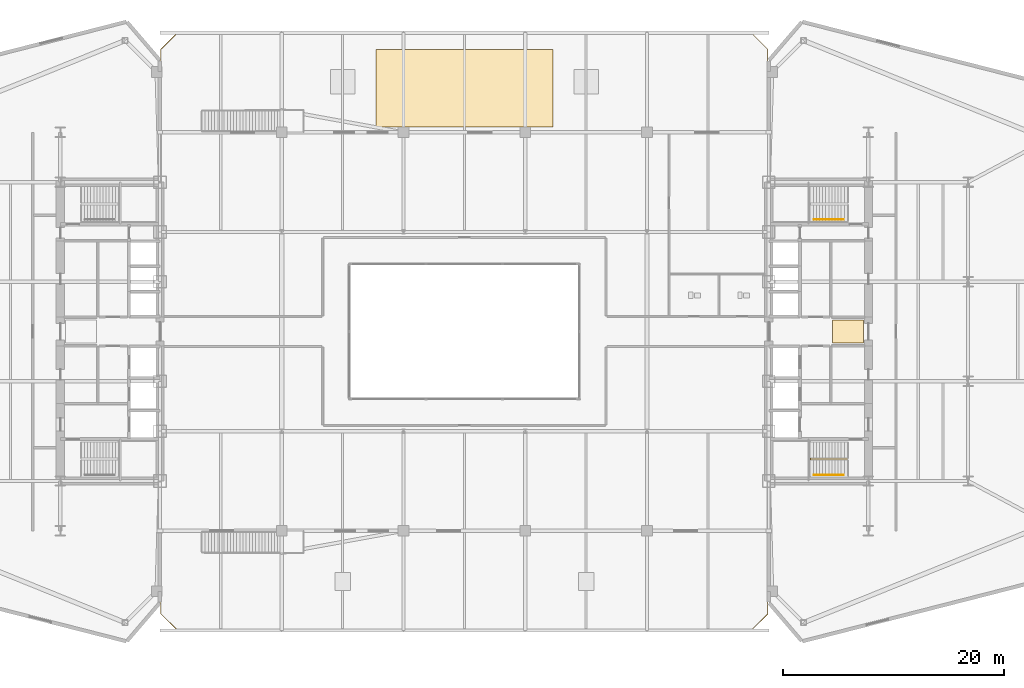
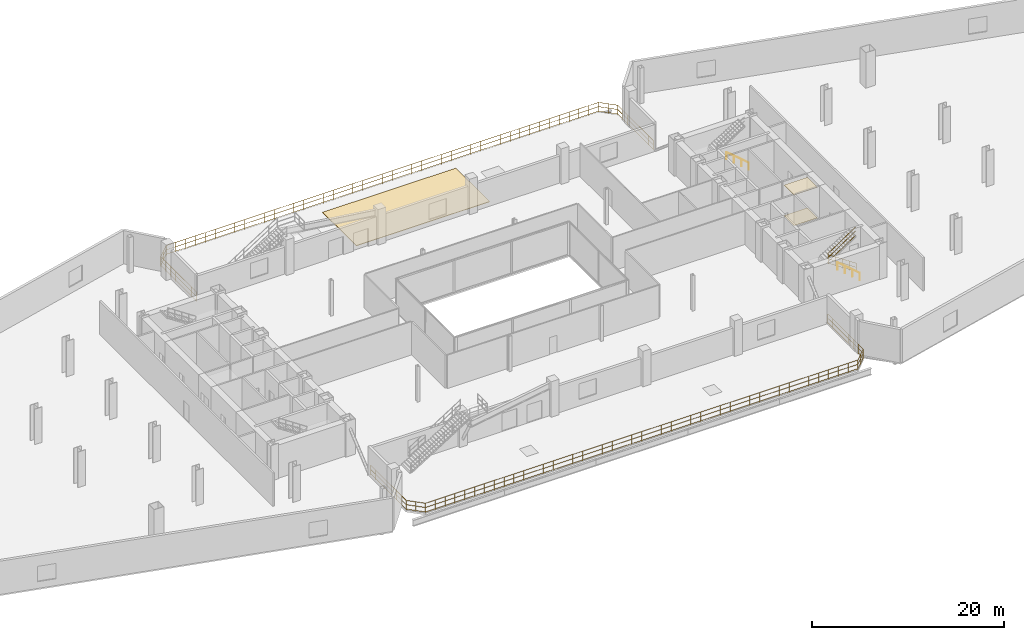
# One storey, part 25 of 27: 5 railings, 3 coverings.
"""IFC4 building model written with IfcOpenShell, lengths in metres."""

from ifc_helpers import new_model, si_unit, direction, frame, origin, origin_2d, place, context, subcontext, project, spatial, polyline, circle, outline, extrude, material, layer, layer_set, type_object, element, save


model = new_model("IFC4")

# Units and contexts
model_context = context("Model", 3, precision=1e-05, world=origin(), true_north=direction((0.0, 1.0)))
body_context = subcontext(model_context, "Body", "Model", "MODEL_VIEW")
ifc_project = project(units=[si_unit("LENGTHUNIT", "METRE"), si_unit("AREAUNIT", "SQUARE_METRE"), si_unit("VOLUMEUNIT", "CUBIC_METRE"), si_unit("PLANEANGLEUNIT", "RADIAN"), si_unit("MASSUNIT", "GRAM", prefix="KILO")], contexts=[model_context])

# Site, building, storey
site_placement = place(None, origin())
site = spatial("IfcSite", under=ifc_project, at=site_placement, CompositionType="ELEMENT")
building_placement = place(site_placement, origin())
building = spatial("IfcBuilding", under=site, at=building_placement, Name="Seokmaru Belvedere", CompositionType="ELEMENT")
storey_placement = place(building_placement, frame((0.0, 0.0, 9.89990234375)))
storey = spatial("IfcBuildingStorey", under=building, at=storey_placement, Name="L02", CompositionType="ELEMENT", Elevation=9.89990234375)

# Coverings
ifc_material_1 = material(Name="Honed Incheon Granite Stone", Category="masonry")
ifc_layer_1 = layer(ifc_material_1, 0.030029296875)
ifc_layer_set_1 = layer_set([ifc_layer_1], Name="Honed Incheon Granite Stone")
covering_type_1 = type_object("IfcCoveringType", Name="Honed Granite Lobby Floor Finish 30", PredefinedType="FLOORING", material=ifc_layer_set_1)
covering_1_placement = place(storey_placement, origin())
element("IfcCovering", 1, at=covering_1_placement, inside=storey, type_object=covering_type_1, Name="L02 E Foyer Floor Finish", PredefinedType="FLOORING", context=body_context, shape_type="SweptSolid", body=[
    extrude(outline(polyline([(33.25, -1.050048828125), (36.050048828125, -1.050048828125), (36.050048828125, 1.050048828125), (33.25, 1.050048828125), (33.25, -1.050048828125)])), origin(), (0.0, 0.0, 1.0), 0.030029296875),
])
ifc_material_2 = material(Name="Insulated Elastomeric Roof Membrane")
ifc_layer_2 = layer(ifc_material_2, 0.06005859375)
ifc_layer_set_2 = layer_set([ifc_layer_2], Name="Insulated Elastomeric Roof Membrane")
covering_type_2 = type_object("IfcCoveringType", Name="Inverted Insulated Elastomeric Roof Membrane 60", PredefinedType="ROOFING", material=ifc_layer_set_2)
covering_2_placement = place(storey_placement, origin())
element("IfcCovering", 2, at=covering_2_placement, inside=storey, type_object=covering_type_2, Name="L02 Planted Terrace Waterproofing Membrane", PredefinedType="ROOFING", context=body_context, shape_type="SweptSolid", body=[
    extrude(outline(polyline([(-8.0, 18.5), (8.0, 18.5), (8.0, 25.5), (-8.0, 25.5), (-8.0, 18.5)])), origin(), (0.0, 0.0, 1.0), 0.06005859375),
])
ifc_material_3 = material(Name="Fire-Rated Gypsum Shaftwall")
ifc_layer_3 = layer(ifc_material_3, 0.02490234375)
ifc_layer_set_3 = layer_set([ifc_layer_3], Name="Fire-Rated Gypsum Shaftwall")
covering_type_3 = type_object("IfcCoveringType", Name="Perforated Acoustic Gypsum Suspended Ceiling 25", PredefinedType="CEILING", material=ifc_layer_set_3)
covering_3_placement = place(storey_placement, frame((0.0, 0.0, 3.8701171875)))
element("IfcCovering", 3, at=covering_3_placement, inside=storey, type_object=covering_type_3, Name="L02 E Lift Foyer Acoustic Ceiling", PredefinedType="CEILING", context=body_context, shape_type="SweptSolid", body=[
    extrude(outline(polyline([(33.25, -1.050048828125), (36.050048828125, -1.050048828125), (36.050048828125, 1.050048828125), (33.25, 1.050048828125), (33.25, -1.050048828125)])), origin(), (0.0, 0.0, 1.0), 0.02490234375),
])

# Railings
ifc_material_4 = material(Name="Stainless Steel 316", Category="steel")
railing_type_1 = type_object("IfcRailingType", Name="Podium Garden Terrace Guardrail 1250", PredefinedType="GUARDRAIL", material=ifc_material_4)
railing_1_placement = place(storey_placement, frame((-27.419921875, -18.159912109375, 0.0)))
element("IfcRailing", 4, at=railing_1_placement, inside=storey, type_object=railing_type_1, Name="L02 South Cascading Terrace Guardrail", PredefinedType="GUARDRAIL", context=body_context, shape_type="SweptSolid", body=[
    extrude(circle(Radius=0.02392578125, at=origin_2d()), frame((0.0, 0.0, 1.22607421875), z_axis=(0.0, -1.0, 0.0), x_axis=(1.0, 0.0, 0.0)), (0.0, 0.0, 1.0), 7.340087890625),
    extrude(circle(Radius=0.02392578125, at=origin_2d()), frame((0.0, 0.0, 0.1201171875), z_axis=(0.0, -1.0, 0.0), x_axis=(1.0, 0.0, 0.0)), (0.0, 0.0, 1.0), 7.340087890625),
    extrude(circle(Radius=0.02392578125, at=origin_2d()), frame((0.0, 0.0, 0.6875), z_axis=(0.0, -1.0, 0.0), x_axis=(1.0, 0.0, 0.0)), (0.0, 0.0, 1.0), 7.340087890625),
    extrude(circle(Radius=0.02392578125, at=origin_2d()), frame((0.0, -7.340087890625, 1.22607421875), z_axis=(0.711938104764, -0.702242219597, 0.0), x_axis=(0.702242219597, 0.711938104764, 0.0)), (0.0, 0.0, 1.0), 2.064697265625),
    extrude(circle(Radius=0.02392578125, at=origin_2d()), frame((0.0, -7.340087890625, 0.1201171875), z_axis=(0.711938104764, -0.702242219597, 0.0), x_axis=(0.702242219597, 0.711938104764, 0.0)), (0.0, 0.0, 1.0), 2.064697265625),
    extrude(circle(Radius=0.02392578125, at=origin_2d()), frame((0.0, -7.340087890625, 0.6875), z_axis=(0.711938104764, -0.702242219597, 0.0), x_axis=(0.702242219597, 0.711938104764, 0.0)), (0.0, 0.0, 1.0), 2.064697265625),
    extrude(circle(Radius=0.02392578125, at=origin_2d()), frame((1.469970703125, -8.7900390625, 1.22607421875), z_axis=(1.0, 0.0, 0.0), x_axis=(0.0, 1.0, 0.0)), (0.0, 0.0, 1.0), 51.89990234375),
    extrude(circle(Radius=0.02392578125, at=origin_2d()), frame((1.469970703125, -8.7900390625, 0.1201171875), z_axis=(1.0, 0.0, 0.0), x_axis=(0.0, 1.0, 0.0)), (0.0, 0.0, 1.0), 51.89990234375),
    extrude(circle(Radius=0.02392578125, at=origin_2d()), frame((1.469970703125, -8.7900390625, 0.6875), z_axis=(1.0, 0.0, 0.0), x_axis=(0.0, 1.0, 0.0)), (0.0, 0.0, 1.0), 51.89990234375),
    extrude(circle(Radius=0.02392578125, at=origin_2d()), frame((53.369873046875, -8.7900390625, 1.22607421875), z_axis=(0.711938104764, 0.702242219597, 0.0), x_axis=(-0.702242219597, 0.711938104764, 0.0)), (0.0, 0.0, 1.0), 2.064697265625),
    extrude(circle(Radius=0.02392578125, at=origin_2d()), frame((53.369873046875, -8.7900390625, 0.1201171875), z_axis=(0.711938104764, 0.702242219597, 0.0), x_axis=(-0.702242219597, 0.711938104764, 0.0)), (0.0, 0.0, 1.0), 2.064697265625),
    extrude(circle(Radius=0.02392578125, at=origin_2d()), frame((53.369873046875, -8.7900390625, 0.6875), z_axis=(0.711938104764, 0.702242219597, 0.0), x_axis=(-0.702242219597, 0.711938104764, 0.0)), (0.0, 0.0, 1.0), 2.064697265625),
    extrude(circle(Radius=0.02392578125, at=origin_2d()), frame((54.83984375, -7.340087890625, 1.22607421875), z_axis=(0.0, 1.0, 0.0), x_axis=(-1.0, 0.0, 0.0)), (0.0, 0.0, 1.0), 7.340087890625),
    extrude(circle(Radius=0.02392578125, at=origin_2d()), frame((54.83984375, -7.340087890625, 0.1201171875), z_axis=(0.0, 1.0, 0.0), x_axis=(-1.0, 0.0, 0.0)), (0.0, 0.0, 1.0), 7.340087890625),
    extrude(circle(Radius=0.02392578125, at=origin_2d()), frame((54.83984375, -7.340087890625, 0.6875), z_axis=(0.0, 1.0, 0.0), x_axis=(-1.0, 0.0, 0.0)), (0.0, 0.0, 1.0), 7.340087890625),
    extrude(circle(Radius=0.02099609375, at=origin_2d()), origin(), (0.0, 0.0, 1.0), 1.201904296875),
    extrude(circle(Radius=0.02099609375, at=origin_2d()), frame((0.0, -1.048583984375, 0.0)), (0.0, 0.0, 1.0), 1.201904296875),
    extrude(circle(Radius=0.02099609375, at=origin_2d()), frame((0.0, -2.09716796875, 0.0)), (0.0, 0.0, 1.0), 1.201904296875),
    extrude(circle(Radius=0.02099609375, at=origin_2d()), frame((0.0, -3.145751953125, 0.0)), (0.0, 0.0, 1.0), 1.201904296875),
    extrude(circle(Radius=0.02099609375, at=origin_2d()), frame((0.0, -4.1943359375, 0.0)), (0.0, 0.0, 1.0), 1.201904296875),
    extrude(circle(Radius=0.02099609375, at=origin_2d()), frame((0.0, -5.242919921875, 0.0)), (0.0, 0.0, 1.0), 1.201904296875),
    extrude(circle(Radius=0.02099609375, at=origin_2d()), frame((0.0, -6.29150390625, 0.0)), (0.0, 0.0, 1.0), 1.201904296875),
    extrude(circle(Radius=0.02099609375, at=origin_2d()), frame((0.0, -7.340087890625, 0.0)), (0.0, 0.0, 1.0), 1.201904296875),
    extrude(circle(Radius=0.02099609375, at=origin_2d()), frame((0.73486328125, -8.06494140625, 0.0)), (0.0, 0.0, 1.0), 1.201904296875),
    extrude(circle(Radius=0.02099609375, at=origin_2d()), frame((1.469970703125, -8.7900390625, 0.0)), (0.0, 0.0, 1.0), 1.201904296875),
    extrude(circle(Radius=0.02099609375, at=origin_2d()), frame((2.6494140625, -8.7900390625, 0.0)), (0.0, 0.0, 1.0), 1.201904296875),
    extrude(circle(Radius=0.02099609375, at=origin_2d()), frame((3.8291015625, -8.7900390625, 0.0)), (0.0, 0.0, 1.0), 1.201904296875),
    extrude(circle(Radius=0.02099609375, at=origin_2d()), frame((5.008544921875, -8.7900390625, 0.0)), (0.0, 0.0, 1.0), 1.201904296875),
    extrude(circle(Radius=0.02099609375, at=origin_2d()), frame((6.188232421875, -8.7900390625, 0.0)), (0.0, 0.0, 1.0), 1.201904296875),
    extrude(circle(Radius=0.02099609375, at=origin_2d()), frame((7.36767578125, -8.7900390625, 0.0)), (0.0, 0.0, 1.0), 1.201904296875),
    extrude(circle(Radius=0.02099609375, at=origin_2d()), frame((8.547119140625, -8.7900390625, 0.0)), (0.0, 0.0, 1.0), 1.201904296875),
    extrude(circle(Radius=0.02099609375, at=origin_2d()), frame((9.726806640625, -8.7900390625, 0.0)), (0.0, 0.0, 1.0), 1.201904296875),
    extrude(circle(Radius=0.02099609375, at=origin_2d()), frame((10.90625, -8.7900390625, 0.0)), (0.0, 0.0, 1.0), 1.201904296875),
    extrude(circle(Radius=0.02099609375, at=origin_2d()), frame((12.0859375, -8.7900390625, 0.0)), (0.0, 0.0, 1.0), 1.201904296875),
    extrude(circle(Radius=0.02099609375, at=origin_2d()), frame((13.265380859375, -8.7900390625, 0.0)), (0.0, 0.0, 1.0), 1.201904296875),
    extrude(circle(Radius=0.02099609375, at=origin_2d()), frame((14.44482421875, -8.7900390625, 0.0)), (0.0, 0.0, 1.0), 1.201904296875),
    extrude(circle(Radius=0.02099609375, at=origin_2d()), frame((15.62451171875, -8.7900390625, 0.0)), (0.0, 0.0, 1.0), 1.201904296875),
    extrude(circle(Radius=0.02099609375, at=origin_2d()), frame((16.803955078125, -8.7900390625, 0.0)), (0.0, 0.0, 1.0), 1.201904296875),
    extrude(circle(Radius=0.02099609375, at=origin_2d()), frame((17.983642578125, -8.7900390625, 0.0)), (0.0, 0.0, 1.0), 1.201904296875),
    extrude(circle(Radius=0.02099609375, at=origin_2d()), frame((19.1630859375, -8.7900390625, 0.0)), (0.0, 0.0, 1.0), 1.201904296875),
    extrude(circle(Radius=0.02099609375, at=origin_2d()), frame((20.3427734375, -8.7900390625, 0.0)), (0.0, 0.0, 1.0), 1.201904296875),
    extrude(circle(Radius=0.02099609375, at=origin_2d()), frame((21.522216796875, -8.7900390625, 0.0)), (0.0, 0.0, 1.0), 1.201904296875),
    extrude(circle(Radius=0.02099609375, at=origin_2d()), frame((22.70166015625, -8.7900390625, 0.0)), (0.0, 0.0, 1.0), 1.201904296875),
    extrude(circle(Radius=0.02099609375, at=origin_2d()), frame((23.88134765625, -8.7900390625, 0.0)), (0.0, 0.0, 1.0), 1.201904296875),
    extrude(circle(Radius=0.02099609375, at=origin_2d()), frame((25.060791015625, -8.7900390625, 0.0)), (0.0, 0.0, 1.0), 1.201904296875),
    extrude(circle(Radius=0.02099609375, at=origin_2d()), frame((26.240478515625, -8.7900390625, 0.0)), (0.0, 0.0, 1.0), 1.201904296875),
    extrude(circle(Radius=0.02099609375, at=origin_2d()), frame((27.419921875, -8.7900390625, 0.0)), (0.0, 0.0, 1.0), 1.201904296875),
    extrude(circle(Radius=0.02099609375, at=origin_2d()), frame((28.599365234375, -8.7900390625, 0.0)), (0.0, 0.0, 1.0), 1.201904296875),
    extrude(circle(Radius=0.02099609375, at=origin_2d()), frame((29.779052734375, -8.7900390625, 0.0)), (0.0, 0.0, 1.0), 1.201904296875),
    extrude(circle(Radius=0.02099609375, at=origin_2d()), frame((30.95849609375, -8.7900390625, 0.0)), (0.0, 0.0, 1.0), 1.201904296875),
    extrude(circle(Radius=0.02099609375, at=origin_2d()), frame((32.13818359375, -8.7900390625, 0.0)), (0.0, 0.0, 1.0), 1.201904296875),
    extrude(circle(Radius=0.02099609375, at=origin_2d()), frame((33.317626953125, -8.7900390625, 0.0)), (0.0, 0.0, 1.0), 1.201904296875),
    extrude(circle(Radius=0.02099609375, at=origin_2d()), frame((34.4970703125, -8.7900390625, 0.0)), (0.0, 0.0, 1.0), 1.201904296875),
    extrude(circle(Radius=0.02099609375, at=origin_2d()), frame((35.6767578125, -8.7900390625, 0.0)), (0.0, 0.0, 1.0), 1.201904296875),
    extrude(circle(Radius=0.02099609375, at=origin_2d()), frame((36.856201171875, -8.7900390625, 0.0)), (0.0, 0.0, 1.0), 1.201904296875),
    extrude(circle(Radius=0.02099609375, at=origin_2d()), frame((38.035888671875, -8.7900390625, 0.0)), (0.0, 0.0, 1.0), 1.201904296875),
    extrude(circle(Radius=0.02099609375, at=origin_2d()), frame((39.21533203125, -8.7900390625, 0.0)), (0.0, 0.0, 1.0), 1.201904296875),
    extrude(circle(Radius=0.02099609375, at=origin_2d()), frame((40.39501953125, -8.7900390625, 0.0)), (0.0, 0.0, 1.0), 1.201904296875),
    extrude(circle(Radius=0.02099609375, at=origin_2d()), frame((41.574462890625, -8.7900390625, 0.0)), (0.0, 0.0, 1.0), 1.201904296875),
    extrude(circle(Radius=0.02099609375, at=origin_2d()), frame((42.75390625, -8.7900390625, 0.0)), (0.0, 0.0, 1.0), 1.201904296875),
    extrude(circle(Radius=0.02099609375, at=origin_2d()), frame((43.93359375, -8.7900390625, 0.0)), (0.0, 0.0, 1.0), 1.201904296875),
    extrude(circle(Radius=0.02099609375, at=origin_2d()), frame((45.113037109375, -8.7900390625, 0.0)), (0.0, 0.0, 1.0), 1.201904296875),
    extrude(circle(Radius=0.02099609375, at=origin_2d()), frame((46.292724609375, -8.7900390625, 0.0)), (0.0, 0.0, 1.0), 1.201904296875),
    extrude(circle(Radius=0.02099609375, at=origin_2d()), frame((47.47216796875, -8.7900390625, 0.0)), (0.0, 0.0, 1.0), 1.201904296875),
    extrude(circle(Radius=0.02099609375, at=origin_2d()), frame((48.651611328125, -8.7900390625, 0.0)), (0.0, 0.0, 1.0), 1.201904296875),
    extrude(circle(Radius=0.02099609375, at=origin_2d()), frame((49.831298828125, -8.7900390625, 0.0)), (0.0, 0.0, 1.0), 1.201904296875),
    extrude(circle(Radius=0.02099609375, at=origin_2d()), frame((51.0107421875, -8.7900390625, 0.0)), (0.0, 0.0, 1.0), 1.201904296875),
    extrude(circle(Radius=0.02099609375, at=origin_2d()), frame((52.1904296875, -8.7900390625, 0.0)), (0.0, 0.0, 1.0), 1.201904296875),
    extrude(circle(Radius=0.02099609375, at=origin_2d()), frame((53.369873046875, -8.7900390625, 0.0)), (0.0, 0.0, 1.0), 1.201904296875),
    extrude(circle(Radius=0.02099609375, at=origin_2d()), frame((54.10498046875, -8.06494140625, 0.0)), (0.0, 0.0, 1.0), 1.201904296875),
    extrude(circle(Radius=0.02099609375, at=origin_2d()), frame((54.83984375, -7.340087890625, 0.0)), (0.0, 0.0, 1.0), 1.201904296875),
    extrude(circle(Radius=0.02099609375, at=origin_2d()), frame((54.83984375, -6.29150390625, 0.0)), (0.0, 0.0, 1.0), 1.201904296875),
    extrude(circle(Radius=0.02099609375, at=origin_2d()), frame((54.83984375, -5.242919921875, 0.0)), (0.0, 0.0, 1.0), 1.201904296875),
    extrude(circle(Radius=0.02099609375, at=origin_2d()), frame((54.83984375, -4.1943359375, 0.0)), (0.0, 0.0, 1.0), 1.201904296875),
    extrude(circle(Radius=0.02099609375, at=origin_2d()), frame((54.83984375, -3.145751953125, 0.0)), (0.0, 0.0, 1.0), 1.201904296875),
    extrude(circle(Radius=0.02099609375, at=origin_2d()), frame((54.83984375, -2.09716796875, 0.0)), (0.0, 0.0, 1.0), 1.201904296875),
    extrude(circle(Radius=0.02099609375, at=origin_2d()), frame((54.83984375, -1.048583984375, 0.0)), (0.0, 0.0, 1.0), 1.201904296875),
    extrude(circle(Radius=0.02099609375, at=origin_2d()), frame((54.83984375, 0.0, 0.0)), (0.0, 0.0, 1.0), 1.201904296875),
])
railing_2_placement = place(storey_placement, frame((-27.419921875, 18.159912109375, 0.0)))
element("IfcRailing", 5, at=railing_2_placement, inside=storey, type_object=railing_type_1, Name="L02 North Cascading Terrace Guardrail", PredefinedType="GUARDRAIL", context=body_context, shape_type="SweptSolid", body=[
    extrude(circle(Radius=0.02392578125, at=origin_2d()), frame((0.0, 0.0, 1.22607421875), z_axis=(0.0, 1.0, 0.0), x_axis=(-1.0, 0.0, 0.0)), (0.0, 0.0, 1.0), 7.340087890625),
    extrude(circle(Radius=0.02392578125, at=origin_2d()), frame((0.0, 0.0, 0.1201171875), z_axis=(0.0, 1.0, 0.0), x_axis=(-1.0, 0.0, 0.0)), (0.0, 0.0, 1.0), 7.340087890625),
    extrude(circle(Radius=0.02392578125, at=origin_2d()), frame((0.0, 0.0, 0.6875), z_axis=(0.0, 1.0, 0.0), x_axis=(-1.0, 0.0, 0.0)), (0.0, 0.0, 1.0), 7.340087890625),
    extrude(circle(Radius=0.02392578125, at=origin_2d()), frame((0.0, 7.340087890625, 1.22607421875), z_axis=(0.711938104764, 0.702242219597, 0.0), x_axis=(-0.702242219597, 0.711938104764, 0.0)), (0.0, 0.0, 1.0), 2.064697265625),
    extrude(circle(Radius=0.02392578125, at=origin_2d()), frame((0.0, 7.340087890625, 0.1201171875), z_axis=(0.711938104764, 0.702242219597, 0.0), x_axis=(-0.702242219597, 0.711938104764, 0.0)), (0.0, 0.0, 1.0), 2.064697265625),
    extrude(circle(Radius=0.02392578125, at=origin_2d()), frame((0.0, 7.340087890625, 0.6875), z_axis=(0.711938104764, 0.702242219597, 0.0), x_axis=(-0.702242219597, 0.711938104764, 0.0)), (0.0, 0.0, 1.0), 2.064697265625),
    extrude(circle(Radius=0.02392578125, at=origin_2d()), frame((1.469970703125, 8.7900390625, 1.22607421875), z_axis=(1.0, 0.0, 0.0), x_axis=(0.0, 1.0, 0.0)), (0.0, 0.0, 1.0), 51.89990234375),
    extrude(circle(Radius=0.02392578125, at=origin_2d()), frame((1.469970703125, 8.7900390625, 0.1201171875), z_axis=(1.0, 0.0, 0.0), x_axis=(0.0, 1.0, 0.0)), (0.0, 0.0, 1.0), 51.89990234375),
    extrude(circle(Radius=0.02392578125, at=origin_2d()), frame((1.469970703125, 8.7900390625, 0.6875), z_axis=(1.0, 0.0, 0.0), x_axis=(0.0, 1.0, 0.0)), (0.0, 0.0, 1.0), 51.89990234375),
    extrude(circle(Radius=0.02392578125, at=origin_2d()), frame((53.369873046875, 8.7900390625, 1.22607421875), z_axis=(0.711938104764, -0.702242219597, 0.0), x_axis=(0.702242219597, 0.711938104764, 0.0)), (0.0, 0.0, 1.0), 2.064697265625),
    extrude(circle(Radius=0.02392578125, at=origin_2d()), frame((53.369873046875, 8.7900390625, 0.1201171875), z_axis=(0.711938104764, -0.702242219597, 0.0), x_axis=(0.702242219597, 0.711938104764, 0.0)), (0.0, 0.0, 1.0), 2.064697265625),
    extrude(circle(Radius=0.02392578125, at=origin_2d()), frame((53.369873046875, 8.7900390625, 0.6875), z_axis=(0.711938104764, -0.702242219597, 0.0), x_axis=(0.702242219597, 0.711938104764, 0.0)), (0.0, 0.0, 1.0), 2.064697265625),
    extrude(circle(Radius=0.02392578125, at=origin_2d()), frame((54.83984375, 7.340087890625, 1.22607421875), z_axis=(0.0, -1.0, 0.0), x_axis=(1.0, 0.0, 0.0)), (0.0, 0.0, 1.0), 7.340087890625),
    extrude(circle(Radius=0.02392578125, at=origin_2d()), frame((54.83984375, 7.340087890625, 0.1201171875), z_axis=(0.0, -1.0, 0.0), x_axis=(1.0, 0.0, 0.0)), (0.0, 0.0, 1.0), 7.340087890625),
    extrude(circle(Radius=0.02392578125, at=origin_2d()), frame((54.83984375, 7.340087890625, 0.6875), z_axis=(0.0, -1.0, 0.0), x_axis=(1.0, 0.0, 0.0)), (0.0, 0.0, 1.0), 7.340087890625),
    extrude(circle(Radius=0.02099609375, at=origin_2d()), origin(), (0.0, 0.0, 1.0), 1.201904296875),
    extrude(circle(Radius=0.02099609375, at=origin_2d()), frame((0.0, 1.048583984375, 0.0)), (0.0, 0.0, 1.0), 1.201904296875),
    extrude(circle(Radius=0.02099609375, at=origin_2d()), frame((0.0, 2.09716796875, 0.0)), (0.0, 0.0, 1.0), 1.201904296875),
    extrude(circle(Radius=0.02099609375, at=origin_2d()), frame((0.0, 3.145751953125, 0.0)), (0.0, 0.0, 1.0), 1.201904296875),
    extrude(circle(Radius=0.02099609375, at=origin_2d()), frame((0.0, 4.1943359375, 0.0)), (0.0, 0.0, 1.0), 1.201904296875),
    extrude(circle(Radius=0.02099609375, at=origin_2d()), frame((0.0, 5.242919921875, 0.0)), (0.0, 0.0, 1.0), 1.201904296875),
    extrude(circle(Radius=0.02099609375, at=origin_2d()), frame((0.0, 6.29150390625, 0.0)), (0.0, 0.0, 1.0), 1.201904296875),
    extrude(circle(Radius=0.02099609375, at=origin_2d()), frame((0.0, 7.340087890625, 0.0)), (0.0, 0.0, 1.0), 1.201904296875),
    extrude(circle(Radius=0.02099609375, at=origin_2d()), frame((0.73486328125, 8.06494140625, 0.0)), (0.0, 0.0, 1.0), 1.201904296875),
    extrude(circle(Radius=0.02099609375, at=origin_2d()), frame((1.469970703125, 8.7900390625, 0.0)), (0.0, 0.0, 1.0), 1.201904296875),
    extrude(circle(Radius=0.02099609375, at=origin_2d()), frame((2.6494140625, 8.7900390625, 0.0)), (0.0, 0.0, 1.0), 1.201904296875),
    extrude(circle(Radius=0.02099609375, at=origin_2d()), frame((3.8291015625, 8.7900390625, 0.0)), (0.0, 0.0, 1.0), 1.201904296875),
    extrude(circle(Radius=0.02099609375, at=origin_2d()), frame((5.008544921875, 8.7900390625, 0.0)), (0.0, 0.0, 1.0), 1.201904296875),
    extrude(circle(Radius=0.02099609375, at=origin_2d()), frame((6.188232421875, 8.7900390625, 0.0)), (0.0, 0.0, 1.0), 1.201904296875),
    extrude(circle(Radius=0.02099609375, at=origin_2d()), frame((7.36767578125, 8.7900390625, 0.0)), (0.0, 0.0, 1.0), 1.201904296875),
    extrude(circle(Radius=0.02099609375, at=origin_2d()), frame((8.547119140625, 8.7900390625, 0.0)), (0.0, 0.0, 1.0), 1.201904296875),
    extrude(circle(Radius=0.02099609375, at=origin_2d()), frame((9.726806640625, 8.7900390625, 0.0)), (0.0, 0.0, 1.0), 1.201904296875),
    extrude(circle(Radius=0.02099609375, at=origin_2d()), frame((10.90625, 8.7900390625, 0.0)), (0.0, 0.0, 1.0), 1.201904296875),
    extrude(circle(Radius=0.02099609375, at=origin_2d()), frame((12.0859375, 8.7900390625, 0.0)), (0.0, 0.0, 1.0), 1.201904296875),
    extrude(circle(Radius=0.02099609375, at=origin_2d()), frame((13.265380859375, 8.7900390625, 0.0)), (0.0, 0.0, 1.0), 1.201904296875),
    extrude(circle(Radius=0.02099609375, at=origin_2d()), frame((14.44482421875, 8.7900390625, 0.0)), (0.0, 0.0, 1.0), 1.201904296875),
    extrude(circle(Radius=0.02099609375, at=origin_2d()), frame((15.62451171875, 8.7900390625, 0.0)), (0.0, 0.0, 1.0), 1.201904296875),
    extrude(circle(Radius=0.02099609375, at=origin_2d()), frame((16.803955078125, 8.7900390625, 0.0)), (0.0, 0.0, 1.0), 1.201904296875),
    extrude(circle(Radius=0.02099609375, at=origin_2d()), frame((17.983642578125, 8.7900390625, 0.0)), (0.0, 0.0, 1.0), 1.201904296875),
    extrude(circle(Radius=0.02099609375, at=origin_2d()), frame((19.1630859375, 8.7900390625, 0.0)), (0.0, 0.0, 1.0), 1.201904296875),
    extrude(circle(Radius=0.02099609375, at=origin_2d()), frame((20.3427734375, 8.7900390625, 0.0)), (0.0, 0.0, 1.0), 1.201904296875),
    extrude(circle(Radius=0.02099609375, at=origin_2d()), frame((21.522216796875, 8.7900390625, 0.0)), (0.0, 0.0, 1.0), 1.201904296875),
    extrude(circle(Radius=0.02099609375, at=origin_2d()), frame((22.70166015625, 8.7900390625, 0.0)), (0.0, 0.0, 1.0), 1.201904296875),
    extrude(circle(Radius=0.02099609375, at=origin_2d()), frame((23.88134765625, 8.7900390625, 0.0)), (0.0, 0.0, 1.0), 1.201904296875),
    extrude(circle(Radius=0.02099609375, at=origin_2d()), frame((25.060791015625, 8.7900390625, 0.0)), (0.0, 0.0, 1.0), 1.201904296875),
    extrude(circle(Radius=0.02099609375, at=origin_2d()), frame((26.240478515625, 8.7900390625, 0.0)), (0.0, 0.0, 1.0), 1.201904296875),
    extrude(circle(Radius=0.02099609375, at=origin_2d()), frame((27.419921875, 8.7900390625, 0.0)), (0.0, 0.0, 1.0), 1.201904296875),
    extrude(circle(Radius=0.02099609375, at=origin_2d()), frame((28.599365234375, 8.7900390625, 0.0)), (0.0, 0.0, 1.0), 1.201904296875),
    extrude(circle(Radius=0.02099609375, at=origin_2d()), frame((29.779052734375, 8.7900390625, 0.0)), (0.0, 0.0, 1.0), 1.201904296875),
    extrude(circle(Radius=0.02099609375, at=origin_2d()), frame((30.95849609375, 8.7900390625, 0.0)), (0.0, 0.0, 1.0), 1.201904296875),
    extrude(circle(Radius=0.02099609375, at=origin_2d()), frame((32.13818359375, 8.7900390625, 0.0)), (0.0, 0.0, 1.0), 1.201904296875),
    extrude(circle(Radius=0.02099609375, at=origin_2d()), frame((33.317626953125, 8.7900390625, 0.0)), (0.0, 0.0, 1.0), 1.201904296875),
    extrude(circle(Radius=0.02099609375, at=origin_2d()), frame((34.4970703125, 8.7900390625, 0.0)), (0.0, 0.0, 1.0), 1.201904296875),
    extrude(circle(Radius=0.02099609375, at=origin_2d()), frame((35.6767578125, 8.7900390625, 0.0)), (0.0, 0.0, 1.0), 1.201904296875),
    extrude(circle(Radius=0.02099609375, at=origin_2d()), frame((36.856201171875, 8.7900390625, 0.0)), (0.0, 0.0, 1.0), 1.201904296875),
    extrude(circle(Radius=0.02099609375, at=origin_2d()), frame((38.035888671875, 8.7900390625, 0.0)), (0.0, 0.0, 1.0), 1.201904296875),
    extrude(circle(Radius=0.02099609375, at=origin_2d()), frame((39.21533203125, 8.7900390625, 0.0)), (0.0, 0.0, 1.0), 1.201904296875),
    extrude(circle(Radius=0.02099609375, at=origin_2d()), frame((40.39501953125, 8.7900390625, 0.0)), (0.0, 0.0, 1.0), 1.201904296875),
    extrude(circle(Radius=0.02099609375, at=origin_2d()), frame((41.574462890625, 8.7900390625, 0.0)), (0.0, 0.0, 1.0), 1.201904296875),
    extrude(circle(Radius=0.02099609375, at=origin_2d()), frame((42.75390625, 8.7900390625, 0.0)), (0.0, 0.0, 1.0), 1.201904296875),
    extrude(circle(Radius=0.02099609375, at=origin_2d()), frame((43.93359375, 8.7900390625, 0.0)), (0.0, 0.0, 1.0), 1.201904296875),
    extrude(circle(Radius=0.02099609375, at=origin_2d()), frame((45.113037109375, 8.7900390625, 0.0)), (0.0, 0.0, 1.0), 1.201904296875),
    extrude(circle(Radius=0.02099609375, at=origin_2d()), frame((46.292724609375, 8.7900390625, 0.0)), (0.0, 0.0, 1.0), 1.201904296875),
    extrude(circle(Radius=0.02099609375, at=origin_2d()), frame((47.47216796875, 8.7900390625, 0.0)), (0.0, 0.0, 1.0), 1.201904296875),
    extrude(circle(Radius=0.02099609375, at=origin_2d()), frame((48.651611328125, 8.7900390625, 0.0)), (0.0, 0.0, 1.0), 1.201904296875),
    extrude(circle(Radius=0.02099609375, at=origin_2d()), frame((49.831298828125, 8.7900390625, 0.0)), (0.0, 0.0, 1.0), 1.201904296875),
    extrude(circle(Radius=0.02099609375, at=origin_2d()), frame((51.0107421875, 8.7900390625, 0.0)), (0.0, 0.0, 1.0), 1.201904296875),
    extrude(circle(Radius=0.02099609375, at=origin_2d()), frame((52.1904296875, 8.7900390625, 0.0)), (0.0, 0.0, 1.0), 1.201904296875),
    extrude(circle(Radius=0.02099609375, at=origin_2d()), frame((53.369873046875, 8.7900390625, 0.0)), (0.0, 0.0, 1.0), 1.201904296875),
    extrude(circle(Radius=0.02099609375, at=origin_2d()), frame((54.10498046875, 8.06494140625, 0.0)), (0.0, 0.0, 1.0), 1.201904296875),
    extrude(circle(Radius=0.02099609375, at=origin_2d()), frame((54.83984375, 7.340087890625, 0.0)), (0.0, 0.0, 1.0), 1.201904296875),
    extrude(circle(Radius=0.02099609375, at=origin_2d()), frame((54.83984375, 6.29150390625, 0.0)), (0.0, 0.0, 1.0), 1.201904296875),
    extrude(circle(Radius=0.02099609375, at=origin_2d()), frame((54.83984375, 5.242919921875, 0.0)), (0.0, 0.0, 1.0), 1.201904296875),
    extrude(circle(Radius=0.02099609375, at=origin_2d()), frame((54.83984375, 4.1943359375, 0.0)), (0.0, 0.0, 1.0), 1.201904296875),
    extrude(circle(Radius=0.02099609375, at=origin_2d()), frame((54.83984375, 3.145751953125, 0.0)), (0.0, 0.0, 1.0), 1.201904296875),
    extrude(circle(Radius=0.02099609375, at=origin_2d()), frame((54.83984375, 2.09716796875, 0.0)), (0.0, 0.0, 1.0), 1.201904296875),
    extrude(circle(Radius=0.02099609375, at=origin_2d()), frame((54.83984375, 1.048583984375, 0.0)), (0.0, 0.0, 1.0), 1.201904296875),
    extrude(circle(Radius=0.02099609375, at=origin_2d()), frame((54.83984375, 0.0, 0.0)), (0.0, 0.0, 1.0), 1.201904296875),
])
railing_type_2 = type_object("IfcRailingType", Name="Stainless Steel Wall and Flight Handrail 900", PredefinedType="HANDRAIL", material=ifc_material_4)
for number, where, name in (
    (6, (34.25, -12.949951171875, 0.0), "L02 Stair ST-E1 Wall Handrail"),
    (7, (34.25, 10.110107421875, 0.0), "L02 Stair ST-E2 Wall Handrail"),
):
    element("IfcRailing", number, at=place(storey_placement, frame(where)), inside=storey, type_object=railing_type_2, Name=name, PredefinedType="HANDRAIL", context=body_context, shape_type="SweptSolid", body=[
        extrude(circle(Radius=0.02392578125, at=origin_2d()), frame((0.0, 0.0, 0.8759765625), z_axis=(-0.763484625413, 0.0, 0.64582600347), x_axis=(0.0, -1.0, 0.0)), (0.0, 0.0, 1.0), 3.48388671875),
        extrude(circle(Radius=0.02099609375, at=origin_2d()), origin(), (0.0, 0.0, 1.0), 0.851806640625),
        extrude(circle(Radius=0.02099609375, at=origin_2d()), frame((-0.88671875, 0.0, 0.75)), (0.0, 0.0, 1.0), 0.851806640625),
        extrude(circle(Radius=0.02099609375, at=origin_2d()), frame((-1.773193359375, 0.0, 1.5)), (0.0, 0.0, 1.0), 0.851806640625),
        extrude(circle(Radius=0.02099609375, at=origin_2d()), frame((-2.659912109375, 0.0, 2.25)), (0.0, 0.0, 1.0), 0.851806640625),
    ])
railing_type_3 = type_object("IfcRailingType", Name="Stair Well and Atrium Steel Guardrail 1200", PredefinedType="GUARDRAIL", material=ifc_material_4)
railing_3_placement = place(storey_placement, frame((34.60009765625, -11.60009765625, 0.0)))
element("IfcRailing", 8, at=railing_3_placement, inside=storey, type_object=railing_type_3, Name="L02 Stair ST-E1 Inner Well Guardrail", PredefinedType="GUARDRAIL", context=body_context, shape_type="SweptSolid", body=[
    extrude(circle(Radius=0.02392578125, at=origin_2d()), frame((0.0, 0.0, 1.17578125), z_axis=(-0.830915400975, 0.0, 0.556398774641), x_axis=(0.0, -1.0, 0.0)), (0.0, 0.0, 1.0), 4.0439453125),
    extrude(circle(Radius=0.02392578125, at=origin_2d()), frame((0.0, 0.0, 0.1201171875), z_axis=(-0.830915400975, 0.0, 0.556398774641), x_axis=(0.0, -1.0, 0.0)), (0.0, 0.0, 1.0), 4.0439453125),
    extrude(circle(Radius=0.02392578125, at=origin_2d()), frame((0.0, 0.0, 0.659912109375), z_axis=(-0.830915400975, 0.0, 0.556398774641), x_axis=(0.0, -1.0, 0.0)), (0.0, 0.0, 1.0), 4.0439453125),
    extrude(circle(Radius=0.02392578125, at=origin_2d()), frame((-3.360107421875, 0.0, 3.42578125), z_axis=(0.0, 1.0, 0.0), x_axis=(-1.0, 0.0, 0.0)), (0.0, 0.0, 1.0), 0.14013671875),
    extrude(circle(Radius=0.02392578125, at=origin_2d()), frame((-3.360107421875, 0.0, 2.3701171875), z_axis=(0.0, 1.0, 0.0), x_axis=(-1.0, 0.0, 0.0)), (0.0, 0.0, 1.0), 0.14013671875),
    extrude(circle(Radius=0.02392578125, at=origin_2d()), frame((-3.360107421875, 0.0, 2.909912109375), z_axis=(0.0, 1.0, 0.0), x_axis=(-1.0, 0.0, 0.0)), (0.0, 0.0, 1.0), 0.14013671875),
    extrude(circle(Radius=0.02392578125, at=origin_2d()), frame((-3.360107421875, 0.14013671875, 3.42578125), z_axis=(0.830915400975, 0.0, 0.556398774641), x_axis=(0.0, 1.0, 0.0)), (0.0, 0.0, 1.0), 4.0439453125),
    extrude(circle(Radius=0.02392578125, at=origin_2d()), frame((-3.360107421875, 0.14013671875, 2.3701171875), z_axis=(0.830915400975, 0.0, 0.556398774641), x_axis=(0.0, 1.0, 0.0)), (0.0, 0.0, 1.0), 4.0439453125),
    extrude(circle(Radius=0.02392578125, at=origin_2d()), frame((-3.360107421875, 0.14013671875, 2.909912109375), z_axis=(0.830915400975, 0.0, 0.556398774641), x_axis=(0.0, 1.0, 0.0)), (0.0, 0.0, 1.0), 4.0439453125),
    extrude(circle(Radius=0.02099609375, at=origin_2d()), origin(), (0.0, 0.0, 1.0), 1.15185546875),
    extrude(circle(Radius=0.02099609375, at=origin_2d()), frame((-0.840087890625, 0.0, 0.5625)), (0.0, 0.0, 1.0), 1.15185546875),
    extrude(circle(Radius=0.02099609375, at=origin_2d()), frame((-1.68017578125, 0.0, 1.125)), (0.0, 0.0, 1.0), 1.15185546875),
    extrude(circle(Radius=0.02099609375, at=origin_2d()), frame((-2.52001953125, 0.0, 1.6875)), (0.0, 0.0, 1.0), 1.15185546875),
    extrude(circle(Radius=0.02099609375, at=origin_2d()), frame((-3.360107421875, 0.0, 2.25)), (0.0, 0.0, 1.0), 1.15185546875),
    extrude(circle(Radius=0.02099609375, at=origin_2d()), frame((-3.360107421875, 0.14013671875, 2.25)), (0.0, 0.0, 1.0), 1.15185546875),
    extrude(circle(Radius=0.02099609375, at=origin_2d()), frame((-2.52001953125, 0.14013671875, 2.8125)), (0.0, 0.0, 1.0), 1.15185546875),
    extrude(circle(Radius=0.02099609375, at=origin_2d()), frame((-1.68017578125, 0.14013671875, 3.375)), (0.0, 0.0, 1.0), 1.15185546875),
    extrude(circle(Radius=0.02099609375, at=origin_2d()), frame((-0.840087890625, 0.14013671875, 3.9375)), (0.0, 0.0, 1.0), 1.15185546875),
    extrude(circle(Radius=0.02099609375, at=origin_2d()), frame((0.0, 0.14013671875, 4.5)), (0.0, 0.0, 1.0), 1.15185546875),
])

save(model, "model.ifc")
